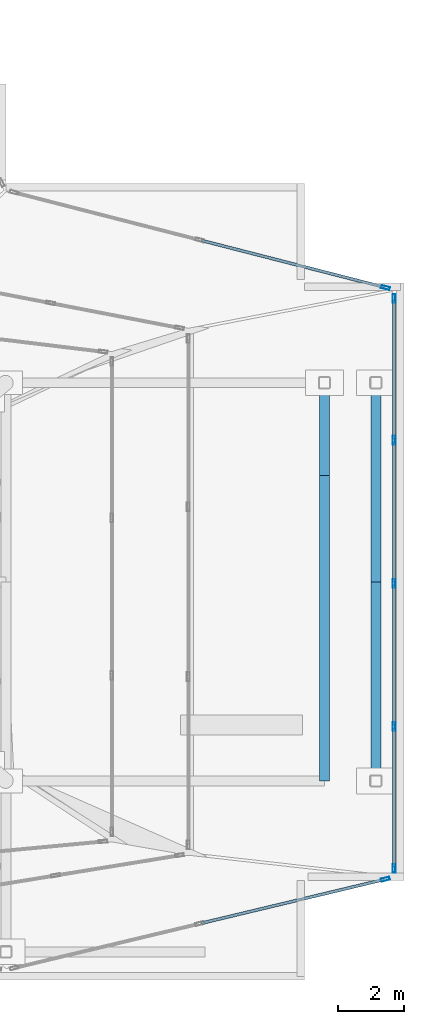
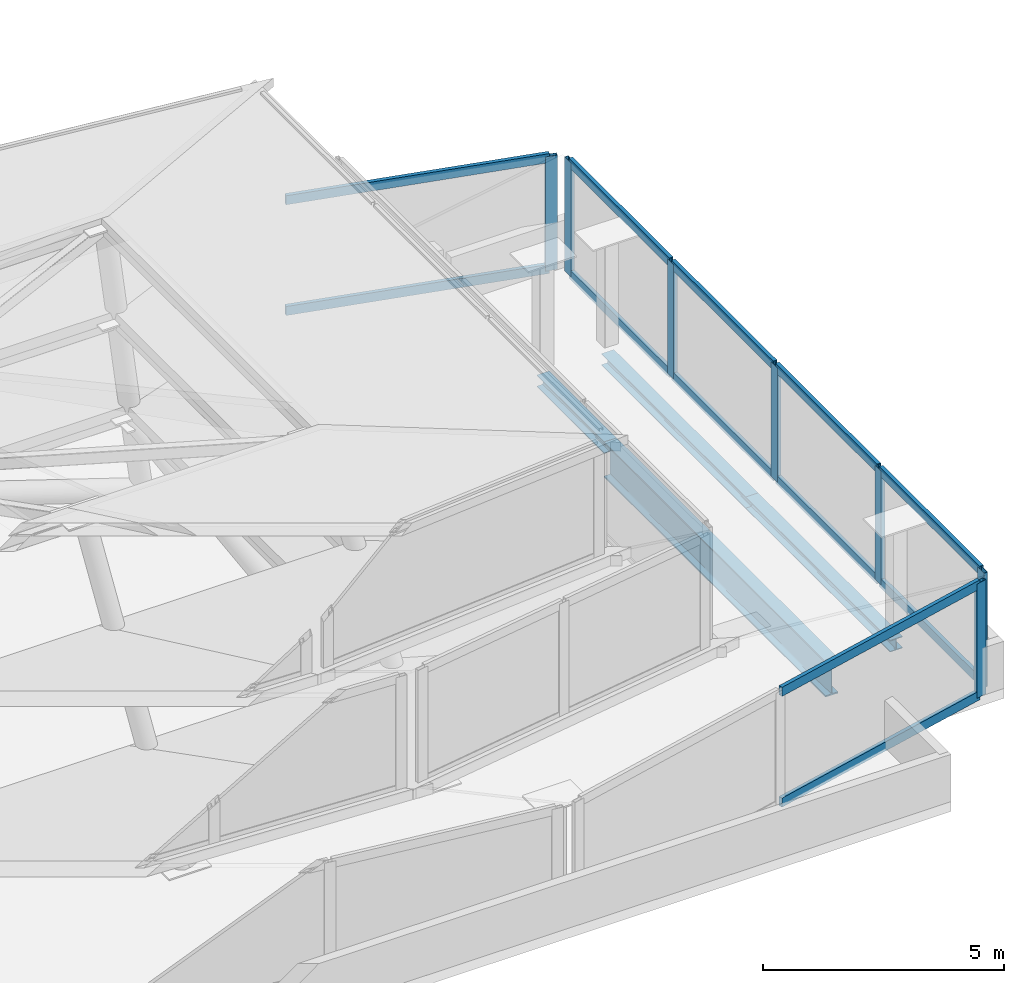
# One storey, part 11 of 15: 19 members, 4 beams, 3 elements without a shape of their own.
"""IFC4 building model written with IfcOpenShell, lengths in metres."""

import ifcopenshell
import ifcopenshell.guid

model = None  # the IFC model being written
_history = None  # IfcOwnerHistory: only IFC2X3 demands one
_inside = {}  # id of a spatial element -> (the spatial element, [elements in it])
_under = {}  # id of a project, library or spatial element -> (it, [spatial elements below it])
_declared = {}  # id of a project -> (the project, [libraries it declares])
_typed = {}  # id of a type object -> (the type object, [elements of that type])
_made_of = {}  # id of a material, layer set ... -> (it, [elements and type objects made of it])


def new_model(schema):
    """Start an empty IFC model of exactly this schema.

    Asked for "IFC4X3", IfcOpenShell would pick the latest addendum, in which some entities
    have other attributes; the version numbers below select the first issue.
    IFC2X3 requires an IfcOwnerHistory on every rooted entity: one is made here for all.
    """
    global model, _history
    if schema == "IFC4X3":
        model = ifcopenshell.file(schema_version=(4, 3, 0, 0))
    else:
        model = ifcopenshell.file(schema=schema)
    _inside.clear()
    _under.clear()
    _declared.clear()
    _typed.clear()
    _made_of.clear()
    _history = None
    if model.schema == "IFC2X3":
        org = make("IfcOrganization", Name="unknown")
        user = make(
            "IfcPersonAndOrganization",
            ThePerson=make("IfcPerson", FamilyName="unknown"),
            TheOrganization=org,
        )
        app = make(
            "IfcApplication",
            ApplicationDeveloper=org,
            Version="unknown",
            ApplicationFullName="unknown",
            ApplicationIdentifier="unknown",
        )
        _history = make(
            "IfcOwnerHistory",
            OwningUser=user,
            OwningApplication=app,
            ChangeAction="ADDED",
            CreationDate=0,
        )
    return model


def make(cls, **values):
    """One entity of the class cls with the attributes given. An attribute that is None is left unset."""
    return model.create_entity(
        cls, **{name: value for name, value in values.items() if value is not None}
    )


def rooted(cls, **values):
    """An entity with a GlobalId (a new one), such as an element, a storey or a relation."""
    return make(cls, GlobalId=ifcopenshell.guid.new(), OwnerHistory=_history, **values)


def si_unit(unit_type, name, prefix=None):
    """IfcSIUnit, for example si_unit("LENGTHUNIT", "METRE", prefix="MILLI")."""
    return make("IfcSIUnit", UnitType=unit_type, Prefix=prefix, Name=name)


def assignment(units):
    """IfcUnitAssignment: the units of a project."""
    return None if units is None else make("IfcUnitAssignment", Units=units)


def point(xyz):
    """IfcCartesianPoint."""
    return None if xyz is None else make("IfcCartesianPoint", Coordinates=xyz)


def direction(xyz):
    """IfcDirection."""
    return None if xyz is None else make("IfcDirection", DirectionRatios=xyz)


def frame(location, z_axis=None, x_axis=None):
    """IfcAxis2Placement3D, a coordinate frame: its origin and axes. An axis left out is left unset."""
    return make(
        "IfcAxis2Placement3D",
        Location=point(location),
        Axis=direction(z_axis),
        RefDirection=direction(x_axis),
    )


def frame_2d(location, x_axis=None):
    """IfcAxis2Placement2D, a coordinate frame in the plane: its origin and x axis."""
    return make(
        "IfcAxis2Placement2D", Location=point(location), RefDirection=direction(x_axis)
    )


def origin():
    """The frame at (0, 0, 0) with its axes left unset."""
    return frame((0.0, 0.0, 0.0))


def origin_2d():
    """The frame at (0, 0) in the plane with its x axis left unset."""
    return frame_2d((0.0, 0.0))


def place(relative_to, where):
    """IfcLocalPlacement: puts the frame where relative to a parent placement (None: the world)."""
    return make(
        "IfcLocalPlacement", PlacementRelTo=relative_to, RelativePlacement=where
    )


def context(
    kind, dimensions, precision=None, world=None, true_north=None, identifier=None
):
    """IfcGeometricRepresentationContext, for example the 3D "Model" context."""
    return make(
        "IfcGeometricRepresentationContext",
        ContextIdentifier=identifier,
        ContextType=kind,
        CoordinateSpaceDimension=dimensions,
        Precision=precision,
        WorldCoordinateSystem=world,
        TrueNorth=true_north,
    )


def subcontext(parent, identifier, kind, view, scale=None):
    """IfcGeometricRepresentationSubContext, for example "Body" below "Model"."""
    return make(
        "IfcGeometricRepresentationSubContext",
        ContextIdentifier=identifier,
        ContextType=kind,
        ParentContext=parent,
        TargetScale=scale,
        TargetView=view,
    )


def project(units=None, contexts=None):
    """IfcProject with its units and contexts."""
    return rooted(
        "IfcProject",
        Name="project",
        RepresentationContexts=contexts,
        UnitsInContext=assignment(units),
    )


def spatial(cls, under=None, at=None, **own):
    """A site, building, storey or space (cls), placed at a placement, below another one or the project."""
    s = rooted(cls, ObjectPlacement=at, **own)
    if under is not None:
        _under.setdefault(under.id(), (under, []))[1].append(s)
    return s


def profile(cls, at=None, kind="AREA", **sizes):
    """A parametric profile (cls). Its sizes go by their IFC names, for example OverallWidth=200.0."""
    return make(cls, ProfileType=kind, Position=at, **sizes)


def hollow_rectangle(**sizes):
    """IfcRectangleHollowProfileDef."""
    return profile("IfcRectangleHollowProfileDef", **sizes)


def i_section(**sizes):
    """IfcIShapeProfileDef."""
    return profile("IfcIShapeProfileDef", **sizes)


def extrude(swept, where, along, depth):
    """IfcExtrudedAreaSolid: the profile swept, set in the frame where, extruded along a direction by depth."""
    return make(
        "IfcExtrudedAreaSolid",
        SweptArea=swept,
        Position=where,
        ExtrudedDirection=direction(along),
        Depth=depth,
    )


def shape(context_of_items, identifier, shape_type, items):
    """IfcShapeRepresentation: the items that make up one representation, for example the "Body"."""
    return make(
        "IfcShapeRepresentation",
        ContextOfItems=context_of_items,
        RepresentationIdentifier=identifier,
        RepresentationType=shape_type,
        Items=items,
    )


def material(Name=None, Category=None):
    """IfcMaterial."""
    return make("IfcMaterial", Name=Name, Category=Category)


def layer(
    of_material, thickness, ventilated=None, Name=None, Category=None, Priority=None
):
    """IfcMaterialLayer: one layer of a wall or slab, of a material (None: an air gap)."""
    return make(
        "IfcMaterialLayer",
        Material=of_material,
        LayerThickness=thickness,
        IsVentilated=ventilated,
        Name=Name,
        Category=Category,
        Priority=Priority,
    )


def layer_set(layers, Name=None):
    """IfcMaterialLayerSet."""
    return make("IfcMaterialLayerSet", MaterialLayers=layers, LayerSetName=Name)


def material_profile(
    of_material, cross_section, Name=None, Category=None, Priority=None
):
    """IfcMaterialProfile: a cross section and its material."""
    return make(
        "IfcMaterialProfile",
        Name=Name,
        Material=of_material,
        Profile=cross_section,
        Priority=Priority,
        Category=Category,
    )


def profile_set(profiles, Name=None, composite=None):
    """IfcMaterialProfileSet."""
    return make(
        "IfcMaterialProfileSet",
        Name=Name,
        MaterialProfiles=profiles,
        CompositeProfile=composite,
    )


def made_of(thing, what):
    """Note that an element or type object is made of a material, layer set ...; save() writes the relation."""
    if what is not None:
        _made_of.setdefault(what.id(), (what, []))[1].append(thing)
    return thing


def type_object(cls, material=None, **own):
    """A type object (cls), such as IfcWallType, which elements share."""
    return made_of(rooted(cls, **own), material)


def element(
    cls,
    number,
    at=None,
    inside=None,
    cuts=None,
    type_object=None,
    material=None,
    context=None,
    identifier="Body",
    shape_type=None,
    held_by="IfcProductDefinitionShape",
    body=None,
    shapes=None,
    **own,
):
    """One element of the class cls, such as IfcWall. Its Tag is "e" and its number.

    at: its placement. inside: the storey or other place that contains it. cuts: it is an
    opening in that element (IfcRelVoidsElement). A single representation is given by context,
    identifier, shape_type and body (its items); several are given by shapes. held_by: the class
    of the entity that holds the representations. save() writes the other relations.
    """
    e = rooted(cls, Tag="e%d" % number, ObjectPlacement=at, **own)
    if body is not None:
        shapes = [shape(context, identifier, shape_type, body)]
    if shapes is not None:
        e.Representation = make(held_by, Representations=shapes)
    if inside is not None:
        _inside.setdefault(inside.id(), (inside, []))[1].append(e)
    if cuts is not None:
        rooted(
            "IfcRelVoidsElement", RelatingBuildingElement=cuts, RelatedOpeningElement=e
        )
    if type_object is not None:
        _typed.setdefault(type_object.id(), (type_object, []))[1].append(e)
    return made_of(e, material)


def aggregate(whole, parts):
    """IfcRelAggregates: a whole, such as a stair, and the parts it consists of."""
    return rooted("IfcRelAggregates", RelatingObject=whole, RelatedObjects=parts)


def save(model, path):
    """Write the relations noted so far, then the file.

    IfcRelAggregates (storeys below a building ...), IfcRelContainedInSpatialStructure (elements
    in a storey), IfcRelDefinesByType, IfcRelAssociatesMaterial and IfcRelDeclares: one each for
    every whole, place, type object, material and project.
    """
    for whole, parts in _under.values():
        aggregate(whole, parts)
    for where, things in _inside.values():
        rooted(
            "IfcRelContainedInSpatialStructure",
            RelatedElements=things,
            RelatingStructure=where,
        )
    for kind, things in _typed.values():
        rooted("IfcRelDefinesByType", RelatedObjects=things, RelatingType=kind)
    for what, things in _made_of.values():
        rooted("IfcRelAssociatesMaterial", RelatedObjects=things, RelatingMaterial=what)
    for by, libraries in _declared.values():
        rooted("IfcRelDeclares", RelatingContext=by, RelatedDefinitions=libraries)
    model.write(path)


model = new_model("IFC4")

# Units and contexts
model_context = context("Model", 3, precision=1e-05, world=origin(), true_north=direction((0.0, 1.0)))
body_context = subcontext(model_context, "Body", "Model", "MODEL_VIEW")
ifc_project = project(units=[si_unit("LENGTHUNIT", "METRE"), si_unit("AREAUNIT", "SQUARE_METRE"), si_unit("VOLUMEUNIT", "CUBIC_METRE"), si_unit("PLANEANGLEUNIT", "RADIAN"), si_unit("MASSUNIT", "GRAM", prefix="KILO"), si_unit("THERMODYNAMICTEMPERATUREUNIT", "KELVIN"), si_unit("POWERUNIT", "WATT")], contexts=[model_context])

# Site, building, storey
site_placement = place(None, origin())
site = spatial("IfcSite", under=ifc_project, at=site_placement, CompositionType="ELEMENT")
building_placement = place(site_placement, origin())
building = spatial("IfcBuilding", under=site, at=building_placement, Name="Svarakhadi Broadcast Tower", CompositionType="ELEMENT")
storey_placement = place(building_placement, frame((0.0, 0.0, 310.5)))
storey = spatial("IfcBuildingStorey", under=building, at=storey_placement, Name="RF", CompositionType="ELEMENT", Elevation=310.5)

# Curtain wall, member
ifc_material_1 = material(Name="Anodised Bronze Aluminium AA 6063-T6", Category="aluminium")
ifc_layer = layer(ifc_material_1, 0.260009765625)
ifc_layer_set = layer_set([ifc_layer], Name="Anodised Bronze Aluminium AA 6063-T6")
curtain_wall_type = type_object("IfcCurtainWallType", Name="CW_Sys_07", PredefinedType="NOTDEFINED", material=ifc_layer_set)
curtain_wall_1_placement = place(storey_placement, origin())
curtain_wall_1 = element("IfcCurtainWall", 1, at=curtain_wall_1_placement, inside=storey, type_object=curtain_wall_type, Name="Crown Tier 1 Faceted Curtain Wall 2", PredefinedType="NOTDEFINED")
ifc_material_profile_1 = material_profile(ifc_material_1, hollow_rectangle(XDim=0.090087890625, YDim=0.260009765625, WallThickness=0.005615234375, at=origin_2d()), Name="ALU MULLION 260x90x6")
ifc_profile_set_1 = profile_set([ifc_material_profile_1], Name="Anodised Bronze Aluminium AA 6063-T6")
member_type_1 = type_object("IfcMemberType", Name="CW_Sys_07_Mul", PredefinedType="MULLION", material=ifc_profile_set_1)
member_1_placement = place(storey_placement, frame((35.442138671875, 3.038330078125, 0.0), z_axis=(0.0, 0.0, 1.0), x_axis=(-0.232746369309, 0.972537468468, 0.0)))
member_1 = element("IfcMember", 2, at=member_1_placement, type_object=member_type_1, Name="CW-07 mullion 3", PredefinedType="MULLION", context=body_context, shape_type="SweptSolid", body=[
    extrude(hollow_rectangle(XDim=0.090087890625, YDim=0.260009765625, WallThickness=0.005615234375, at=origin_2d()), origin(), (0.0, 0.0, 1.0), 2.89990234375),
])

# Curtain wall, members
curtain_wall_2_placement = place(storey_placement, origin())
curtain_wall_2 = element("IfcCurtainWall", 3, at=curtain_wall_2_placement, inside=storey, type_object=curtain_wall_type, Name="Crown Tier 1 Faceted Curtain Wall 3", PredefinedType="NOTDEFINED")
member_2_placement = place(storey_placement, frame((35.699951171875, 3.364990234375, 0.0), z_axis=(0.0, 0.0, 1.0), x_axis=(-1.0, 0.0, 0.0)))
member_2 = element("IfcMember", 4, at=member_2_placement, type_object=member_type_1, Name="CW-07 mullion 1", PredefinedType="MULLION", context=body_context, shape_type="SweptSolid", body=[
    extrude(hollow_rectangle(XDim=0.090087890625, YDim=0.260009765625, WallThickness=0.005615234375, at=origin_2d()), origin(), (0.0, 0.0, 1.0), 2.89990234375),
])
member_3_placement = place(storey_placement, frame((35.699951171875, 7.635009765625, 0.0), z_axis=(0.0, 0.0, 1.0), x_axis=(-1.0, 0.0, 0.0)))
member_3 = element("IfcMember", 5, at=member_3_placement, type_object=member_type_1, Name="CW-07 mullion 2", PredefinedType="MULLION", context=body_context, shape_type="SweptSolid", body=[
    extrude(hollow_rectangle(XDim=0.090087890625, YDim=0.260009765625, WallThickness=0.005615234375, at=origin_2d()), origin(), (0.0, 0.0, 1.0), 2.89990234375),
])
member_4_placement = place(storey_placement, frame((35.699951171875, 11.949951171875, 0.0), z_axis=(0.0, 0.0, 1.0), x_axis=(-1.0, 0.0, 0.0)))
member_4 = element("IfcMember", 6, at=member_4_placement, type_object=member_type_1, Name="CW-07 mullion 3", PredefinedType="MULLION", context=body_context, shape_type="SweptSolid", body=[
    extrude(hollow_rectangle(XDim=0.090087890625, YDim=0.260009765625, WallThickness=0.005615234375, at=origin_2d()), origin(), (0.0, 0.0, 1.0), 2.89990234375),
])
member_5_placement = place(storey_placement, frame((35.699951171875, 16.264892578125, 0.0), z_axis=(0.0, 0.0, 1.0), x_axis=(-1.0, 0.0, 0.0)))
member_5 = element("IfcMember", 7, at=member_5_placement, type_object=member_type_1, Name="CW-07 mullion 4", PredefinedType="MULLION", context=body_context, shape_type="SweptSolid", body=[
    extrude(hollow_rectangle(XDim=0.090087890625, YDim=0.260009765625, WallThickness=0.005615234375, at=origin_2d()), origin(), (0.0, 0.0, 1.0), 2.89990234375),
])
member_6_placement = place(storey_placement, frame((35.699951171875, 20.534912109375, 0.0), z_axis=(0.0, 0.0, 1.0), x_axis=(-1.0, 0.0, 0.0)))
member_6 = element("IfcMember", 8, at=member_6_placement, type_object=member_type_1, Name="CW-07 mullion 5", PredefinedType="MULLION", context=body_context, shape_type="SweptSolid", body=[
    extrude(hollow_rectangle(XDim=0.090087890625, YDim=0.260009765625, WallThickness=0.005615234375, at=origin_2d()), origin(), (0.0, 0.0, 1.0), 2.89990234375),
])

# Curtain wall, member
curtain_wall_3_placement = place(storey_placement, origin())
curtain_wall_3 = element("IfcCurtainWall", 9, at=curtain_wall_3_placement, inside=storey, type_object=curtain_wall_type, Name="Crown Tier 1 Faceted Curtain Wall 4", PredefinedType="NOTDEFINED")
member_7_placement = place(storey_placement, frame((35.443359375, 20.86572265625, 0.0), z_axis=(0.0, 0.0, 1.0), x_axis=(-0.248381965319, -0.968662169853, 0.0)))
member_7 = element("IfcMember", 10, at=member_7_placement, type_object=member_type_1, Name="CW-07 mullion 1", PredefinedType="MULLION", context=body_context, shape_type="SweptSolid", body=[
    extrude(hollow_rectangle(XDim=0.090087890625, YDim=0.260009765625, WallThickness=0.005615234375, at=origin_2d()), origin(), (0.0, 0.0, 1.0), 2.89990234375),
])

# Member
ifc_material_profile_2 = material_profile(ifc_material_1, hollow_rectangle(XDim=0.090087890625, YDim=0.22998046875, WallThickness=0.0048828125, at=origin_2d()), Name="ALU TRANSOM 230x90x5")
ifc_profile_set_2 = profile_set([ifc_material_profile_2], Name="Anodised Bronze Aluminium AA 6063-T6")
member_type_2 = type_object("IfcMemberType", Name="CW_Sys_07_Trn", PredefinedType="USERDEFINED", material=ifc_profile_set_2)
member_8_placement = place(storey_placement, frame((29.893798828125, 1.71044921875, 0.044921875), z_axis=(0.972536667422, 0.232749716477, 0.0), x_axis=(-0.232749716477, 0.972536667422, 0.0)))
member_8 = element("IfcMember", 11, at=member_8_placement, type_object=member_type_2, Name="CW-07 transom 2.1", ObjectType="TRANSOM", PredefinedType="USERDEFINED", context=body_context, shape_type="SweptSolid", body=[
    extrude(hollow_rectangle(XDim=0.090087890625, YDim=0.22998046875, WallThickness=0.0048828125, at=origin_2d()), origin(), (0.0, 0.0, 1.0), 5.66015625),
])

member_9_placement = place(storey_placement, frame((29.893798828125, 1.71044921875, 2.85498046875), z_axis=(0.972536667422, 0.232749716477, 0.0), x_axis=(-0.232749716477, 0.972536667422, 0.0)))
member_9 = element("IfcMember", 12, at=member_9_placement, type_object=member_type_2, Name="CW-07 transom 2.2", ObjectType="TRANSOM", PredefinedType="USERDEFINED", context=body_context, shape_type="SweptSolid", body=[
    extrude(hollow_rectangle(XDim=0.090087890625, YDim=0.22998046875, WallThickness=0.0048828125, at=origin_2d()), origin(), (0.0, 0.0, 1.0), 5.66015625),
])

aggregate(curtain_wall_1, [member_1, member_8, member_9])

member_10_placement = place(storey_placement, frame((35.699951171875, 3.409912109375, 0.044921875), z_axis=(0.0, 1.0, 0.0), x_axis=(-1.0, 0.0, 0.0)))
member_10 = element("IfcMember", 13, at=member_10_placement, type_object=member_type_2, Name="CW-07 transom 1.1", ObjectType="TRANSOM", PredefinedType="USERDEFINED", context=body_context, shape_type="SweptSolid", body=[
    extrude(hollow_rectangle(XDim=0.090087890625, YDim=0.22998046875, WallThickness=0.0048828125, at=origin_2d()), origin(), (0.0, 0.0, 1.0), 4.18017578125),
])

member_11_placement = place(storey_placement, frame((35.699951171875, 3.409912109375, 2.85498046875), z_axis=(0.0, 1.0, 0.0), x_axis=(-1.0, 0.0, 0.0)))
member_11 = element("IfcMember", 14, at=member_11_placement, type_object=member_type_2, Name="CW-07 transom 1.2", ObjectType="TRANSOM", PredefinedType="USERDEFINED", context=body_context, shape_type="SweptSolid", body=[
    extrude(hollow_rectangle(XDim=0.090087890625, YDim=0.22998046875, WallThickness=0.0048828125, at=origin_2d()), origin(), (0.0, 0.0, 1.0), 4.18017578125),
])

member_12_placement = place(storey_placement, frame((35.699951171875, 7.679931640625, 0.044921875), z_axis=(0.0, 1.0, 0.0), x_axis=(-1.0, 0.0, 0.0)))
member_12 = element("IfcMember", 15, at=member_12_placement, type_object=member_type_2, Name="CW-07 transom 2.1", ObjectType="TRANSOM", PredefinedType="USERDEFINED", context=body_context, shape_type="SweptSolid", body=[
    extrude(hollow_rectangle(XDim=0.090087890625, YDim=0.22998046875, WallThickness=0.0048828125, at=origin_2d()), origin(), (0.0, 0.0, 1.0), 4.22509765625),
])

member_13_placement = place(storey_placement, frame((35.699951171875, 7.679931640625, 2.85498046875), z_axis=(0.0, 1.0, 0.0), x_axis=(-1.0, 0.0, 0.0)))
member_13 = element("IfcMember", 16, at=member_13_placement, type_object=member_type_2, Name="CW-07 transom 2.2", ObjectType="TRANSOM", PredefinedType="USERDEFINED", context=body_context, shape_type="SweptSolid", body=[
    extrude(hollow_rectangle(XDim=0.090087890625, YDim=0.22998046875, WallThickness=0.0048828125, at=origin_2d()), origin(), (0.0, 0.0, 1.0), 4.22509765625),
])

member_14_placement = place(storey_placement, frame((35.699951171875, 11.9951171875, 0.044921875), z_axis=(0.0, 1.0, 0.0), x_axis=(-1.0, 0.0, 0.0)))
member_14 = element("IfcMember", 17, at=member_14_placement, type_object=member_type_2, Name="CW-07 transom 3.1", ObjectType="TRANSOM", PredefinedType="USERDEFINED", context=body_context, shape_type="SweptSolid", body=[
    extrude(hollow_rectangle(XDim=0.090087890625, YDim=0.22998046875, WallThickness=0.0048828125, at=origin_2d()), origin(), (0.0, 0.0, 1.0), 4.224853515625),
])

member_15_placement = place(storey_placement, frame((35.699951171875, 11.9951171875, 2.85498046875), z_axis=(0.0, 1.0, 0.0), x_axis=(-1.0, 0.0, 0.0)))
member_15 = element("IfcMember", 18, at=member_15_placement, type_object=member_type_2, Name="CW-07 transom 3.2", ObjectType="TRANSOM", PredefinedType="USERDEFINED", context=body_context, shape_type="SweptSolid", body=[
    extrude(hollow_rectangle(XDim=0.090087890625, YDim=0.22998046875, WallThickness=0.0048828125, at=origin_2d()), origin(), (0.0, 0.0, 1.0), 4.224853515625),
])

member_16_placement = place(storey_placement, frame((35.699951171875, 16.31005859375, 0.044921875), z_axis=(0.0, 1.0, 0.0), x_axis=(-1.0, 0.0, 0.0)))
member_16 = element("IfcMember", 19, at=member_16_placement, type_object=member_type_2, Name="CW-07 transom 4.1", ObjectType="TRANSOM", PredefinedType="USERDEFINED", context=body_context, shape_type="SweptSolid", body=[
    extrude(hollow_rectangle(XDim=0.090087890625, YDim=0.22998046875, WallThickness=0.0048828125, at=origin_2d()), origin(), (0.0, 0.0, 1.0), 4.179931640625),
])

member_17_placement = place(storey_placement, frame((35.699951171875, 16.31005859375, 2.85498046875), z_axis=(0.0, 1.0, 0.0), x_axis=(-1.0, 0.0, 0.0)))
member_17 = element("IfcMember", 20, at=member_17_placement, type_object=member_type_2, Name="CW-07 transom 4.2", ObjectType="TRANSOM", PredefinedType="USERDEFINED", context=body_context, shape_type="SweptSolid", body=[
    extrude(hollow_rectangle(XDim=0.090087890625, YDim=0.22998046875, WallThickness=0.0048828125, at=origin_2d()), origin(), (0.0, 0.0, 1.0), 4.179931640625),
])

aggregate(curtain_wall_2, [member_2, member_3, member_4, member_5, member_6, member_10, member_11, member_12, member_13, member_14, member_15, member_16, member_17])

member_18_placement = place(storey_placement, frame((35.399658203125, 20.876953125, 0.044921875), z_axis=(-0.968662011277, 0.248382583746, 0.0), x_axis=(-0.248382583746, -0.968662011277, 0.0)))
member_18 = element("IfcMember", 21, at=member_18_placement, type_object=member_type_2, Name="CW-07 transom 1.1", ObjectType="TRANSOM", PredefinedType="USERDEFINED", context=body_context, shape_type="SweptSolid", body=[
    extrude(hollow_rectangle(XDim=0.090087890625, YDim=0.22998046875, WallThickness=0.0048828125, at=origin_2d()), origin(), (0.0, 0.0, 1.0), 5.684326171875),
])

member_19_placement = place(storey_placement, frame((35.399658203125, 20.876953125, 2.85498046875), z_axis=(-0.968662011277, 0.248382583746, 0.0), x_axis=(-0.248382583746, -0.968662011277, 0.0)))
member_19 = element("IfcMember", 22, at=member_19_placement, type_object=member_type_2, Name="CW-07 transom 1.2", ObjectType="TRANSOM", PredefinedType="USERDEFINED", context=body_context, shape_type="SweptSolid", body=[
    extrude(hollow_rectangle(XDim=0.090087890625, YDim=0.22998046875, WallThickness=0.0048828125, at=origin_2d()), origin(), (0.0, 0.0, 1.0), 5.684326171875),
])

aggregate(curtain_wall_3, [member_7, member_18, member_19])

# Beams
ifc_material_2 = material(Name="Steel S355J2 (IS 2062 E350C)", Category="steel")
ifc_material_profile_3 = material_profile(ifc_material_2, i_section(OverallWidth=0.300048828125, OverallDepth=0.300048828125, WebThickness=0.010986328125, FlangeThickness=0.01904296875, FilletRadius=0.027099609375, at=origin_2d()), Name="WPB 300x300x117")
ifc_profile_set_3 = profile_set([ifc_material_profile_3], Name="Steel S355J2 (IS 2062 E350C)")
beam_type_1 = type_object("IfcBeamType", Name="Girder_WPB300", PredefinedType="USERDEFINED", material=ifc_profile_set_3)
beam_1_placement = place(storey_placement, frame((33.60009765625, 15.199951171875, -0.39990234375), z_axis=(0.0, 1.0, 0.0), x_axis=(-1.0, 0.0, 0.0)))
element("IfcBeam", 23, at=beam_1_placement, inside=storey, type_object=beam_type_1, Name="RF Primary N-S Girder G044", ObjectType="GIRDER", PredefinedType="USERDEFINED", context=body_context, shape_type="SweptSolid", body=[
    extrude(i_section(OverallWidth=0.300048828125, OverallDepth=0.300048828125, WebThickness=0.010986328125, FlangeThickness=0.01904296875, FilletRadius=0.027099609375, at=origin_2d()), origin(), (0.0, 0.0, 1.0), 2.800048828125),
])
for number, where, z_axis, x_axis, name in (
    (24, (35.14990234375, 6.0, -0.39990234375), (0.0, 1.0, 0.0), (-1.0, 0.0, 0.0), "RF Primary N-S Girder G045"),
    (25, (35.14990234375, 12.0, -0.39990234375), (0.0, 1.0, 0.0), (-1.0, 0.0, 0.0), "RF Primary N-S Girder G046"),
):
    element("IfcBeam", number, at=place(storey_placement, frame(where, z_axis=z_axis, x_axis=x_axis)), inside=storey, type_object=beam_type_1, Name=name, ObjectType="GIRDER", PredefinedType="USERDEFINED", context=body_context, shape_type="SweptSolid", body=[
        extrude(i_section(OverallWidth=0.300048828125, OverallDepth=0.300048828125, WebThickness=0.010986328125, FlangeThickness=0.01904296875, FilletRadius=0.027099609375, at=origin_2d()), origin(), (0.0, 0.0, 1.0), 6.0),
    ])
ifc_material_3 = material(Name="Steel S460ML (IS 2062 E450BR)", Category="steel")
ifc_material_profile_4 = material_profile(ifc_material_3, i_section(OverallWidth=0.300048828125, OverallDepth=0.89990234375, WebThickness=0.0185546875, FlangeThickness=0.034912109375, FilletRadius=0.030029296875, at=origin_2d()), Name="WPB 900x300x291")
ifc_profile_set_4 = profile_set([ifc_material_profile_4], Name="Steel S460ML (IS 2062 E450BR)")
beam_type_2 = type_object("IfcBeamType", Name="Girder_WPB900", PredefinedType="USERDEFINED", material=ifc_profile_set_4)
beam_2_placement = place(storey_placement, frame((33.60009765625, 6.0, -0.699951171875), z_axis=(0.0, 1.0, 0.0), x_axis=(-1.0, 0.0, 0.0)))
element("IfcBeam", 26, at=beam_2_placement, inside=storey, type_object=beam_type_2, Name="RF Primary N-S Girder G043", ObjectType="GIRDER", PredefinedType="USERDEFINED", context=body_context, shape_type="SweptSolid", body=[
    extrude(i_section(OverallWidth=0.300048828125, OverallDepth=0.89990234375, WebThickness=0.0185546875, FlangeThickness=0.034912109375, FilletRadius=0.030029296875, at=origin_2d()), origin(), (0.0, 0.0, 1.0), 9.199951171875),
])

save(model, "model.ifc")
